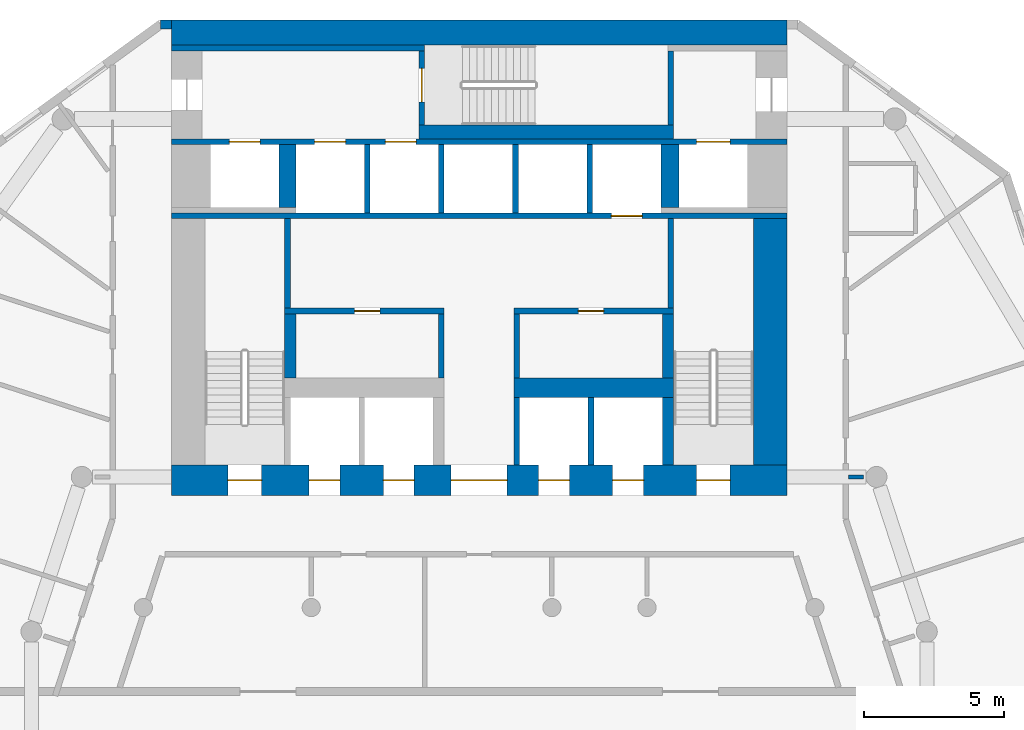
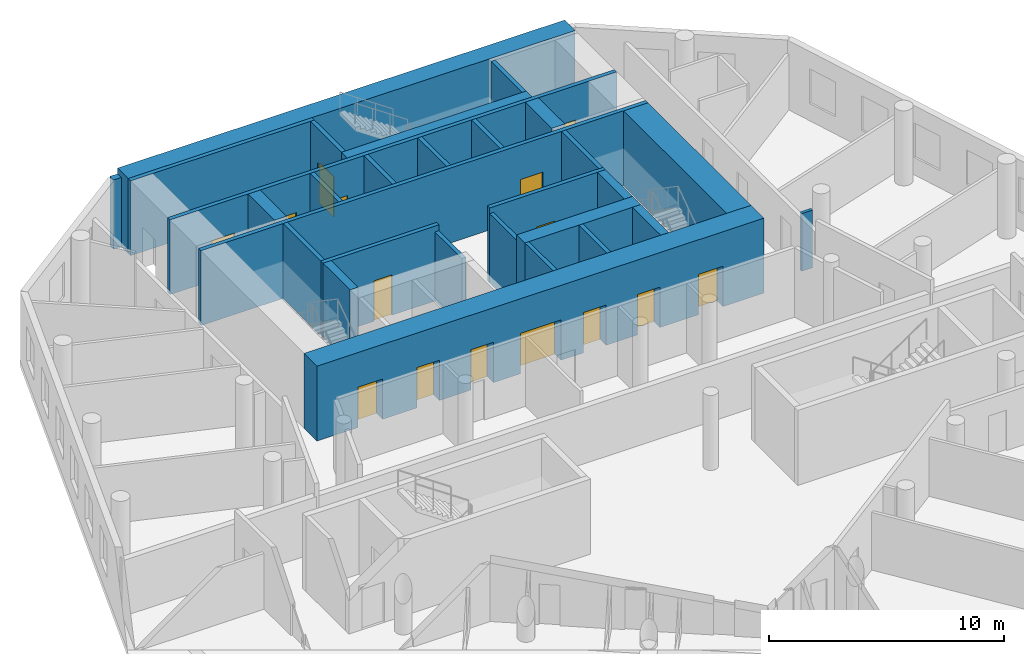
# One storey, part 5 of 9: 29 walls, 15 doors, 15 openings.
"""IFC4 building model written with IfcOpenShell, lengths in metres."""

from ifc_helpers import new_model, si_unit, direction, frame, frame_2d, origin, place, context, subcontext, project, spatial, rectangle, extrude, material, layer, layer_set, type_object, element, fill, save


model = new_model("IFC4")

# Units and contexts
model_context = context("Model", 3, precision=1e-05, world=origin(), true_north=direction((0.0, 1.0)))
body_context = subcontext(model_context, "Body", "Model", "MODEL_VIEW")
ifc_project = project(units=[si_unit("LENGTHUNIT", "METRE"), si_unit("AREAUNIT", "SQUARE_METRE"), si_unit("VOLUMEUNIT", "CUBIC_METRE"), si_unit("PLANEANGLEUNIT", "RADIAN"), si_unit("MASSUNIT", "GRAM", prefix="KILO")], contexts=[model_context])

# Site, building, storey
site_placement = place(None, origin())
site = spatial("IfcSite", under=ifc_project, at=site_placement, CompositionType="ELEMENT")
building_placement = place(site_placement, origin())
building = spatial("IfcBuilding", under=site, at=building_placement, Name="White Candle Pilgrim Tower", CompositionType="ELEMENT")
storey_placement = place(building_placement, frame((0.0, 0.0, 110.300048828125)))
storey = spatial("IfcBuildingStorey", under=building, at=storey_placement, Name="L24", CompositionType="ELEMENT", Elevation=110.300048828125)

# Wall, openings, doors
ifc_material_1 = material(Name="Concrete C60/75", Category="concrete")
ifc_layer_1 = layer(ifc_material_1, 0.199951171875)
ifc_layer_set_1 = layer_set([ifc_layer_1], Name="Core wall 200 mm Concrete C60/75")
wall_type_1 = type_object("IfcWallType", Name="Core wall 200 mm Concrete C60/75", PredefinedType="SHEAR", material=ifc_layer_set_1)
wall_1_placement = place(storey_placement, frame((59.0, 83.64990234375, 0.0), z_axis=(0.0, 0.0, 1.0), x_axis=(1.0, 0.0, 0.0)))
wall_1 = element("IfcWall", 1, at=wall_1_placement, inside=storey, type_object=wall_type_1, Name="WL-L24-C41", PredefinedType="SHEAR", context=body_context, shape_type="SweptSolid", body=[
    extrude(rectangle(XDim=22.0, YDim=0.199951171875, at=frame_2d((11.0, 0.0))), origin(), (0.0, 0.0, 1.0), 3.89990234375),
])
opening_1_placement = place(wall_1_placement, frame((5.125, 0.0, 0.0)))
opening_1 = element("IfcOpeningElement", 2, at=opening_1_placement, cuts=wall_1, Name="Opening T07-011", PredefinedType="OPENING", context=body_context, shape_type="SweptSolid", body=[
    extrude(rectangle(XDim=1.10009765625, YDim=2.10009765625, at=frame_2d((0.550048828125, 1.050048828125))), frame((0.0, 0.10986328125, 0.0), z_axis=(0.0, -1.0, 0.0), x_axis=(1.0, 0.0, 0.0)), (0.0, 0.0, 1.0), 0.219970703125),
])
opening_2_placement = place(wall_1_placement, frame((7.64990234375, 0.0, 0.0)))
opening_2 = element("IfcOpeningElement", 3, at=opening_2_placement, cuts=wall_1, Name="Opening T07-012", PredefinedType="OPENING", context=body_context, shape_type="SweptSolid", body=[
    extrude(rectangle(XDim=1.10009765625, YDim=2.10009765625, at=frame_2d((0.550048828125, 1.050048828125))), frame((0.0, 0.10986328125, 0.0), z_axis=(0.0, -1.0, 0.0), x_axis=(1.0, 0.0, 0.0)), (0.0, 0.0, 1.0), 0.219970703125),
])
opening_3_placement = place(wall_1_placement, frame((18.77490234375, 0.0, 0.0)))
opening_3 = element("IfcOpeningElement", 4, at=opening_3_placement, cuts=wall_1, Name="Opening T07-018", PredefinedType="OPENING", context=body_context, shape_type="SweptSolid", body=[
    extrude(rectangle(XDim=1.199951171875, YDim=2.10009765625, at=frame_2d((0.60009765625, 1.050048828125))), frame((0.0, 0.10986328125, 0.0), z_axis=(0.0, -1.0, 0.0), x_axis=(1.0, 0.0, 0.0)), (0.0, 0.0, 1.0), 0.219970703125),
])
opening_4_placement = place(wall_1_placement, frame((2.074951171875, 0.0, 0.0)))
opening_4 = element("IfcOpeningElement", 5, at=opening_4_placement, cuts=wall_1, Name="Opening T07-019", PredefinedType="OPENING", context=body_context, shape_type="SweptSolid", body=[
    extrude(rectangle(XDim=1.10009765625, YDim=2.10009765625, at=frame_2d((0.550048828125, 1.050048828125))), frame((0.0, 0.10986328125, 0.0), z_axis=(0.0, -1.0, 0.0), x_axis=(1.0, 0.0, 0.0)), (0.0, 0.0, 1.0), 0.219970703125),
])
ifc_material_2 = material(Name="Stainless steel", Category="steel")
door_type_1 = type_object("IfcDoorType", Name="Lift landing door 1100 x 2100 EI 60", OperationType="DOUBLE_DOOR_SLIDING", PredefinedType="DOOR", material=ifc_material_2)
door_1_placement = place(opening_1_placement, origin())
door_1 = element("IfcDoor", 6, at=door_1_placement, inside=storey, type_object=door_type_1, Name="Door T07-011", OperationType="DOUBLE_DOOR_SLIDING", OverallHeight=2.10009765625, OverallWidth=1.10009765625, PredefinedType="DOOR", context=body_context, shape_type="SweptSolid", body=[
    extrude(rectangle(XDim=1.10009765625, YDim=2.10009765625, at=frame_2d((0.550048828125, 1.050048828125))), frame((0.0, 0.02490234375, 0.0), z_axis=(0.0, -1.0, 0.0), x_axis=(1.0, 0.0, 0.0)), (0.0, 0.0, 1.0), 0.050048828125),
])
fill(opening_1, door_1)
door_2_placement = place(opening_2_placement, origin())
door_2 = element("IfcDoor", 7, at=door_2_placement, inside=storey, type_object=door_type_1, Name="Door T07-012", OperationType="DOUBLE_DOOR_SLIDING", OverallHeight=2.10009765625, OverallWidth=1.10009765625, PredefinedType="DOOR", context=body_context, shape_type="SweptSolid", body=[
    extrude(rectangle(XDim=1.10009765625, YDim=2.10009765625, at=frame_2d((0.550048828125, 1.050048828125))), frame((0.0, 0.02490234375, 0.0), z_axis=(0.0, -1.0, 0.0), x_axis=(1.0, 0.0, 0.0)), (0.0, 0.0, 1.0), 0.050048828125),
])
fill(opening_2, door_2)
door_3_placement = place(opening_4_placement, origin())
door_3 = element("IfcDoor", 8, at=door_3_placement, inside=storey, type_object=door_type_1, Name="Door T07-019", OperationType="DOUBLE_DOOR_SLIDING", OverallHeight=2.10009765625, OverallWidth=1.10009765625, PredefinedType="DOOR", context=body_context, shape_type="SweptSolid", body=[
    extrude(rectangle(XDim=1.10009765625, YDim=2.10009765625, at=frame_2d((0.550048828125, 1.050048828125))), frame((0.0, 0.02490234375, 0.0), z_axis=(0.0, -1.0, 0.0), x_axis=(1.0, 0.0, 0.0)), (0.0, 0.0, 1.0), 0.050048828125),
])
fill(opening_4, door_3)
door_type_2 = type_object("IfcDoorType", Name="Lift landing door 1200 x 2100 E 60", OperationType="DOUBLE_DOOR_SLIDING", PredefinedType="DOOR", material=ifc_material_2)
door_4_placement = place(opening_3_placement, origin())
door_4 = element("IfcDoor", 9, at=door_4_placement, inside=storey, type_object=door_type_2, Name="Door T07-018", OperationType="DOUBLE_DOOR_SLIDING", OverallHeight=2.10009765625, OverallWidth=1.199951171875, PredefinedType="DOOR", context=body_context, shape_type="SweptSolid", body=[
    extrude(rectangle(XDim=1.199951171875, YDim=2.10009765625, at=frame_2d((0.60009765625, 1.050048828125))), frame((0.0, 0.02490234375, 0.0), z_axis=(0.0, -1.0, 0.0), x_axis=(1.0, 0.0, 0.0)), (0.0, 0.0, 1.0), 0.050048828125),
])
fill(opening_3, door_4)

# Walls
ifc_material_3 = material(Name="Precast concrete C40/50", Category="concrete")
ifc_layer_2 = layer(ifc_material_3, 0.320068359375)
ifc_layer_set_2 = layer_set([ifc_layer_2], Name="Facade wall EW1 precast concrete C40/50 pier wall with timber-lined reveals")
wall_type_2 = type_object("IfcWallType", Name="Facade wall EW1 precast concrete C40/50 pier wall with timber-lined reveals", PredefinedType="SOLIDWALL", material=ifc_layer_set_2)
wall_2_placement = place(storey_placement, frame((59.0, 87.840087890625, 0.0), z_axis=(0.0, 0.0, 1.0), x_axis=(-1.0, 0.0, 0.0)))
element("IfcWall", 10, at=wall_2_placement, inside=storey, type_object=wall_type_2, Name="Facade wall L24 N", PredefinedType="SOLIDWALL", context=body_context, shape_type="SweptSolid", body=[
    extrude(rectangle(XDim=0.385009765625, YDim=0.320068359375, at=frame_2d((0.1923828125, 0.0))), origin(), (0.0, 0.0, 1.0), 3.599853515625),
])
ifc_material_4 = material(Name="Gypsum board on steel studs", Category="steel")
ifc_layer_3 = layer(ifc_material_4, 0.199951171875)
ifc_layer_set_3 = layer_set([ifc_layer_3], Name="Lobby wall 200 mm EI 60")
wall_type_3 = type_object("IfcWallType", Name="Lobby wall 200 mm EI 60", PredefinedType="PARTITIONING", material=ifc_layer_set_3)
for number, where, z_axis, x_axis, name in (
    (11, (68.64990234375, 75.199951171875, 0.0), (0.0, 0.0, 1.0), (0.0, 1.0, 0.0), "WL-L24-C23"),
    (12, (71.35009765625, 75.199951171875, 0.0), (0.0, 0.0, 1.0), (0.0, 1.0, 0.0), "WL-L24-C24"),
):
    element("IfcWall", number, at=place(storey_placement, frame(where, z_axis=z_axis, x_axis=x_axis)), inside=storey, type_object=wall_type_3, Name=name, PredefinedType="PARTITIONING", context=body_context, shape_type="SweptSolid", body=[
        extrude(rectangle(XDim=2.300048828125, YDim=0.199951171875, at=frame_2d((1.14990234375, 0.0))), origin(), (0.0, 0.0, 1.0), 3.599853515625),
    ])
ifc_layer_4 = layer(ifc_material_4, 0.14990234375)
ifc_layer_set_4 = layer_set([ifc_layer_4], Name="Partition 150 mm EI 60")
wall_type_4 = type_object("IfcWallType", Name="Partition 150 mm EI 60", PredefinedType="PARTITIONING", material=ifc_layer_set_4)
wall_3_placement = place(storey_placement, frame((83.735107421875, 71.667724609375, 0.0), z_axis=(0.0, 0.0, 1.0), x_axis=(-1.0, 0.0, 0.0)))
element("IfcWall", 13, at=wall_3_placement, inside=storey, type_object=wall_type_4, Name="WL-L24-P050", PredefinedType="PARTITIONING", context=body_context, shape_type="SweptSolid", body=[
    extrude(rectangle(XDim=0.53515625, YDim=0.14990234375, at=frame_2d((0.267578125, 0.0))), origin(), (0.0, 0.0, 1.0), 3.0),
])
ifc_layer_5 = layer(ifc_material_1, 0.199951171875)
ifc_layer_set_5 = layer_set([ifc_layer_5], Name="Shaft wall 200 mm Concrete C60/75")
wall_type_5 = type_object("IfcWallType", Name="Shaft wall 200 mm Concrete C60/75", PredefinedType="SHEAR", material=ifc_layer_set_5)
for number, where, z_axis, x_axis, name in (
    (14, (71.35009765625, 72.10009765625, 0.0), (0.0, 0.0, 1.0), (0.0, 1.0, 0.0), "WL-L24-C16"),
    (15, (74.0, 72.10009765625, 0.0), (0.0, 0.0, 1.0), (0.0, 1.0, 0.0), "WL-L24-C17"),
):
    element("IfcWall", number, at=place(storey_placement, frame(where, z_axis=z_axis, x_axis=x_axis)), inside=storey, type_object=wall_type_5, Name=name, PredefinedType="SHEAR", context=body_context, shape_type="SweptSolid", body=[
        extrude(rectangle(XDim=2.39990234375, YDim=0.199951171875, at=frame_2d((1.199951171875, 0.0))), origin(), (0.0, 0.0, 1.0), 3.89990234375),
    ])
for number, where, z_axis, x_axis, name in (
    (16, (66.0, 81.10009765625, 0.0), (0.0, 0.0, 1.0), (0.0, 1.0, 0.0), "WL-L24-C32"),
    (17, (68.64990234375, 81.10009765625, 0.0), (0.0, 0.0, 1.0), (0.0, 1.0, 0.0), "WL-L24-C33"),
    (18, (71.300048828125, 81.10009765625, 0.0), (0.0, 0.0, 1.0), (0.0, 1.0, 0.0), "WL-L24-C34"),
    (19, (73.949951171875, 81.10009765625, 0.0), (0.0, 0.0, 1.0), (0.0, 1.0, 0.0), "WL-L24-C35"),
):
    element("IfcWall", number, at=place(storey_placement, frame(where, z_axis=z_axis, x_axis=x_axis)), inside=storey, type_object=wall_type_5, Name=name, PredefinedType="SHEAR", context=body_context, shape_type="SweptSolid", body=[
        extrude(rectangle(XDim=2.449951171875, YDim=0.199951171875, at=frame_2d((1.22509765625, 0.0))), origin(), (0.0, 0.0, 1.0), 3.89990234375),
    ])
ifc_layer_6 = layer(ifc_material_1, 0.60009765625)
ifc_layer_set_6 = layer_set([ifc_layer_6], Name="Shaft wall 600 mm Concrete C60/75")
wall_type_6 = type_object("IfcWallType", Name="Shaft wall 600 mm Concrete C60/75", PredefinedType="SHEAR", material=ifc_layer_set_6)
wall_4_placement = place(storey_placement, frame((63.14990234375, 81.300048828125, 0.0), z_axis=(0.0, 0.0, 1.0), x_axis=(0.0, 1.0, 0.0)))
element("IfcWall", 20, at=wall_4_placement, inside=storey, type_object=wall_type_6, Name="WL-L24-C38", PredefinedType="SHEAR", context=body_context, shape_type="SweptSolid", body=[
    extrude(rectangle(XDim=2.25, YDim=0.60009765625, at=frame_2d((1.125, 0.0))), origin(), (0.0, 0.0, 1.0), 3.89990234375),
])
ifc_layer_7 = layer(ifc_material_1, 0.64990234375)
ifc_layer_set_7 = layer_set([ifc_layer_7], Name="Shaft wall 650 mm Concrete C60/75")
wall_type_7 = type_object("IfcWallType", Name="Shaft wall 650 mm Concrete C60/75", PredefinedType="SHEAR", material=ifc_layer_set_7)
wall_5_placement = place(storey_placement, frame((76.824951171875, 81.300048828125, 0.0), z_axis=(0.0, 0.0, 1.0), x_axis=(0.0, 1.0, 0.0)))
element("IfcWall", 21, at=wall_5_placement, inside=storey, type_object=wall_type_7, Name="WL-L24-C39", PredefinedType="SHEAR", context=body_context, shape_type="SweptSolid", body=[
    extrude(rectangle(XDim=2.25, YDim=0.64990234375, at=frame_2d((1.125, 0.0))), origin(), (0.0, 0.0, 1.0), 3.89990234375),
])

# Wall, openings, doors
ifc_layer_8 = layer(ifc_material_1, 1.10009765625)
ifc_layer_set_8 = layer_set([ifc_layer_8], Name="Stair shaft wall 1100 mm Concrete C60/75")
wall_type_8 = type_object("IfcWallType", Name="Stair shaft wall 1100 mm Concrete C60/75", PredefinedType="SHEAR", material=ifc_layer_set_8)
wall_6_placement = place(storey_placement, frame((59.0, 71.550048828125, 0.0), z_axis=(0.0, 0.0, 1.0), x_axis=(1.0, 0.0, 0.0)))
wall_6 = element("IfcWall", 22, at=wall_6_placement, inside=storey, type_object=wall_type_8, Name="WL-L24-C11", PredefinedType="SHEAR", context=body_context, shape_type="SweptSolid", body=[
    extrude(rectangle(XDim=22.0, YDim=1.10009765625, at=frame_2d((11.0, 0.0))), origin(), (0.0, 0.0, 1.0), 3.89990234375),
])
opening_5_placement = place(wall_6_placement, frame((2.02490234375, 0.0, 0.0)))
opening_5 = element("IfcOpeningElement", 23, at=opening_5_placement, cuts=wall_6, Name="Opening T07-001", PredefinedType="OPENING", context=body_context, shape_type="SweptSolid", body=[
    extrude(rectangle(XDim=1.199951171875, YDim=2.10009765625, at=frame_2d((0.60009765625, 1.050048828125))), frame((0.0, 0.56005859375, 0.0), z_axis=(0.0, -1.0, 0.0), x_axis=(1.0, 0.0, 0.0)), (0.0, 0.0, 1.0), 1.1201171875),
])
opening_6_placement = place(wall_6_placement, frame((18.77490234375, 0.0, 0.0)))
opening_6 = element("IfcOpeningElement", 24, at=opening_6_placement, cuts=wall_6, Name="Opening T07-002", PredefinedType="OPENING", context=body_context, shape_type="SweptSolid", body=[
    extrude(rectangle(XDim=1.199951171875, YDim=2.10009765625, at=frame_2d((0.60009765625, 1.050048828125))), frame((0.0, 0.56005859375, 0.0), z_axis=(0.0, -1.0, 0.0), x_axis=(1.0, 0.0, 0.0)), (0.0, 0.0, 1.0), 1.1201171875),
])
opening_7_placement = place(wall_6_placement, frame((10.0, 0.0, 0.0)))
opening_7 = element("IfcOpeningElement", 25, at=opening_7_placement, cuts=wall_6, Name="Opening T07-004", PredefinedType="OPENING", context=body_context, shape_type="SweptSolid", body=[
    extrude(rectangle(XDim=2.0, YDim=2.10009765625, at=frame_2d((1.0, 1.050048828125))), frame((0.0, 0.56005859375, 0.0), z_axis=(0.0, -1.0, 0.0), x_axis=(1.0, 0.0, 0.0)), (0.0, 0.0, 1.0), 1.1201171875),
])
opening_8_placement = place(wall_6_placement, frame((4.925048828125, 0.0, 0.0)))
opening_8 = element("IfcOpeningElement", 26, at=opening_8_placement, cuts=wall_6, Name="Opening T07-014", PredefinedType="OPENING", context=body_context, shape_type="SweptSolid", body=[
    extrude(rectangle(XDim=1.10009765625, YDim=2.10009765625, at=frame_2d((0.550048828125, 1.050048828125))), frame((0.0, 0.56005859375, 0.0), z_axis=(0.0, -1.0, 0.0), x_axis=(1.0, 0.0, 0.0)), (0.0, 0.0, 1.0), 1.1201171875),
])
opening_9_placement = place(wall_6_placement, frame((7.574951171875, 0.0, 0.0)))
opening_9 = element("IfcOpeningElement", 27, at=opening_9_placement, cuts=wall_6, Name="Opening T07-015", PredefinedType="OPENING", context=body_context, shape_type="SweptSolid", body=[
    extrude(rectangle(XDim=1.10009765625, YDim=2.10009765625, at=frame_2d((0.550048828125, 1.050048828125))), frame((0.0, 0.56005859375, 0.0), z_axis=(0.0, -1.0, 0.0), x_axis=(1.0, 0.0, 0.0)), (0.0, 0.0, 1.0), 1.1201171875),
])
opening_10_placement = place(wall_6_placement, frame((13.125, 0.0, 0.0)))
opening_10 = element("IfcOpeningElement", 28, at=opening_10_placement, cuts=wall_6, Name="Opening T07-016", PredefinedType="OPENING", context=body_context, shape_type="SweptSolid", body=[
    extrude(rectangle(XDim=1.10009765625, YDim=2.10009765625, at=frame_2d((0.550048828125, 1.050048828125))), frame((0.0, 0.56005859375, 0.0), z_axis=(0.0, -1.0, 0.0), x_axis=(1.0, 0.0, 0.0)), (0.0, 0.0, 1.0), 1.1201171875),
])
opening_11_placement = place(wall_6_placement, frame((15.77490234375, 0.0, 0.0)))
opening_11 = element("IfcOpeningElement", 29, at=opening_11_placement, cuts=wall_6, Name="Opening T07-017", PredefinedType="OPENING", context=body_context, shape_type="SweptSolid", body=[
    extrude(rectangle(XDim=1.10009765625, YDim=2.10009765625, at=frame_2d((0.550048828125, 1.050048828125))), frame((0.0, 0.56005859375, 0.0), z_axis=(0.0, -1.0, 0.0), x_axis=(1.0, 0.0, 0.0)), (0.0, 0.0, 1.0), 1.1201171875),
])
ifc_material_5 = material(Name="Steel door leaf", Category="steel")
door_type_3 = type_object("IfcDoorType", Name="Fire door 1200 x 2100 EI 60", OperationType="NOTDEFINED", PredefinedType="DOOR", material=ifc_material_5)
door_5_placement = place(opening_5_placement, frame((1.199951171875, 0.0, 0.0), z_axis=(0.0, 0.0, 1.0), x_axis=(-1.0, 0.0, 0.0)))
door_5 = element("IfcDoor", 30, at=door_5_placement, inside=storey, type_object=door_type_3, Name="Door T07-001", OperationType="SINGLE_SWING_RIGHT", OverallHeight=2.10009765625, OverallWidth=1.199951171875, PredefinedType="DOOR", context=body_context, shape_type="SweptSolid", body=[
    extrude(rectangle(XDim=1.199951171875, YDim=2.10009765625, at=frame_2d((0.60009765625, 1.050048828125))), frame((0.0, 0.02490234375, 0.0), z_axis=(0.0, -1.0, 0.0), x_axis=(1.0, 0.0, 0.0)), (0.0, 0.0, 1.0), 0.050048828125),
])
fill(opening_5, door_5)
door_6_placement = place(opening_6_placement, frame((1.199951171875, 0.0, 0.0), z_axis=(0.0, 0.0, 1.0), x_axis=(-1.0, 0.0, 0.0)))
door_6 = element("IfcDoor", 31, at=door_6_placement, inside=storey, type_object=door_type_3, Name="Door T07-002", OperationType="SINGLE_SWING_LEFT", OverallHeight=2.10009765625, OverallWidth=1.199951171875, PredefinedType="DOOR", context=body_context, shape_type="SweptSolid", body=[
    extrude(rectangle(XDim=1.199951171875, YDim=2.10009765625, at=frame_2d((0.60009765625, 1.050048828125))), frame((0.0, 0.02490234375, 0.0), z_axis=(0.0, -1.0, 0.0), x_axis=(1.0, 0.0, 0.0)), (0.0, 0.0, 1.0), 0.050048828125),
])
fill(opening_6, door_6)
door_type_4 = type_object("IfcDoorType", Name="Fire door 2000 x 2100 EI 60", OperationType="NOTDEFINED", PredefinedType="DOOR", material=ifc_material_5)
door_7_placement = place(opening_7_placement, frame((2.0, 0.0, 0.0), z_axis=(0.0, 0.0, 1.0), x_axis=(-1.0, 0.0, 0.0)))
door_7 = element("IfcDoor", 32, at=door_7_placement, inside=storey, type_object=door_type_4, Name="Door T07-004", OperationType="DOUBLE_DOOR_SINGLE_SWING", OverallHeight=2.10009765625, OverallWidth=2.0, PredefinedType="DOOR", context=body_context, shape_type="SweptSolid", body=[
    extrude(rectangle(XDim=2.0, YDim=2.10009765625, at=frame_2d((1.0, 1.050048828125))), frame((0.0, 0.02490234375, 0.0), z_axis=(0.0, -1.0, 0.0), x_axis=(1.0, 0.0, 0.0)), (0.0, 0.0, 1.0), 0.050048828125),
])
fill(opening_7, door_7)
door_type_5 = type_object("IfcDoorType", Name="Lift landing door 1100 x 2100 E 60", OperationType="DOUBLE_DOOR_SLIDING", PredefinedType="DOOR", material=ifc_material_2)
door_8_placement = place(opening_8_placement, origin())
door_8 = element("IfcDoor", 33, at=door_8_placement, inside=storey, type_object=door_type_5, Name="Door T07-014", OperationType="DOUBLE_DOOR_SLIDING", OverallHeight=2.10009765625, OverallWidth=1.10009765625, PredefinedType="DOOR", context=body_context, shape_type="SweptSolid", body=[
    extrude(rectangle(XDim=1.10009765625, YDim=2.10009765625, at=frame_2d((0.550048828125, 1.050048828125))), frame((0.0, 0.02490234375, 0.0), z_axis=(0.0, -1.0, 0.0), x_axis=(1.0, 0.0, 0.0)), (0.0, 0.0, 1.0), 0.050048828125),
])
fill(opening_8, door_8)
door_9_placement = place(opening_9_placement, origin())
door_9 = element("IfcDoor", 34, at=door_9_placement, inside=storey, type_object=door_type_5, Name="Door T07-015", OperationType="DOUBLE_DOOR_SLIDING", OverallHeight=2.10009765625, OverallWidth=1.10009765625, PredefinedType="DOOR", context=body_context, shape_type="SweptSolid", body=[
    extrude(rectangle(XDim=1.10009765625, YDim=2.10009765625, at=frame_2d((0.550048828125, 1.050048828125))), frame((0.0, 0.02490234375, 0.0), z_axis=(0.0, -1.0, 0.0), x_axis=(1.0, 0.0, 0.0)), (0.0, 0.0, 1.0), 0.050048828125),
])
fill(opening_9, door_9)
door_10_placement = place(opening_10_placement, origin())
door_10 = element("IfcDoor", 35, at=door_10_placement, inside=storey, type_object=door_type_5, Name="Door T07-016", OperationType="DOUBLE_DOOR_SLIDING", OverallHeight=2.10009765625, OverallWidth=1.10009765625, PredefinedType="DOOR", context=body_context, shape_type="SweptSolid", body=[
    extrude(rectangle(XDim=1.10009765625, YDim=2.10009765625, at=frame_2d((0.550048828125, 1.050048828125))), frame((0.0, 0.02490234375, 0.0), z_axis=(0.0, -1.0, 0.0), x_axis=(1.0, 0.0, 0.0)), (0.0, 0.0, 1.0), 0.050048828125),
])
fill(opening_10, door_10)
door_11_placement = place(opening_11_placement, origin())
door_11 = element("IfcDoor", 36, at=door_11_placement, inside=storey, type_object=door_type_5, Name="Door T07-017", OperationType="DOUBLE_DOOR_SLIDING", OverallHeight=2.10009765625, OverallWidth=1.10009765625, PredefinedType="DOOR", context=body_context, shape_type="SweptSolid", body=[
    extrude(rectangle(XDim=1.10009765625, YDim=2.10009765625, at=frame_2d((0.550048828125, 1.050048828125))), frame((0.0, 0.02490234375, 0.0), z_axis=(0.0, -1.0, 0.0), x_axis=(1.0, 0.0, 0.0)), (0.0, 0.0, 1.0), 0.050048828125),
])
fill(opening_11, door_11)

# Wall
ifc_layer_9 = layer(ifc_material_1, 1.199951171875)
ifc_layer_set_9 = layer_set([ifc_layer_9], Name="Stair shaft wall 1200 mm Concrete C60/75")
wall_type_9 = type_object("IfcWallType", Name="Stair shaft wall 1200 mm Concrete C60/75", PredefinedType="SHEAR", material=ifc_layer_set_9)
wall_7_placement = place(storey_placement, frame((80.39990234375, 72.10009765625, 0.0), z_axis=(0.0, 0.0, 1.0), x_axis=(0.0, 1.0, 0.0)))
element("IfcWall", 37, at=wall_7_placement, inside=storey, type_object=wall_type_9, Name="WL-L24-C19", PredefinedType="SHEAR", context=body_context, shape_type="SweptSolid", body=[
    extrude(rectangle(XDim=8.7998046875, YDim=1.199951171875, at=frame_2d((4.39990234375, 0.0))), origin(), (0.0, 0.0, 1.0), 3.89990234375),
])

# Wall, opening, door
ifc_layer_10 = layer(ifc_material_1, 0.199951171875)
ifc_layer_set_10 = layer_set([ifc_layer_10], Name="Stair shaft wall 200 mm Concrete C60/75")
wall_type_10 = type_object("IfcWallType", Name="Stair shaft wall 200 mm Concrete C60/75", PredefinedType="SHEAR", material=ifc_layer_set_10)
wall_8_placement = place(storey_placement, frame((63.050048828125, 77.60009765625, 0.0), z_axis=(0.0, 0.0, 1.0), x_axis=(1.0, 0.0, 0.0)))
wall_8 = element("IfcWall", 38, at=wall_8_placement, inside=storey, type_object=wall_type_10, Name="WL-L24-C26", PredefinedType="SHEAR", context=body_context, shape_type="SweptSolid", body=[
    extrude(rectangle(XDim=5.699951171875, YDim=0.199951171875, at=frame_2d((2.85009765625, 0.0))), origin(), (0.0, 0.0, 1.0), 3.89990234375),
])
opening_12_placement = place(wall_8_placement, frame((2.5, 0.0, 0.0)))
opening_12 = element("IfcOpeningElement", 39, at=opening_12_placement, cuts=wall_8, Name="Opening T07-020", PredefinedType="OPENING", context=body_context, shape_type="SweptSolid", body=[
    extrude(rectangle(XDim=0.89990234375, YDim=2.10009765625, at=frame_2d((0.449951171875, 1.050048828125))), frame((0.0, 0.10986328125, 0.0), z_axis=(0.0, -1.0, 0.0), x_axis=(1.0, 0.0, 0.0)), (0.0, 0.0, 1.0), 0.219970703125),
])
door_type_6 = type_object("IfcDoorType", Name="Fire door 900 x 2100 EI 30", OperationType="NOTDEFINED", PredefinedType="DOOR", material=ifc_material_5)
door_12_placement = place(opening_12_placement, origin())
door_12 = element("IfcDoor", 40, at=door_12_placement, inside=storey, type_object=door_type_6, Name="Door T07-020", OperationType="SINGLE_SWING_RIGHT", OverallHeight=2.10009765625, OverallWidth=0.89990234375, PredefinedType="DOOR", context=body_context, shape_type="SweptSolid", body=[
    extrude(rectangle(XDim=0.89990234375, YDim=2.10009765625, at=frame_2d((0.449951171875, 1.050048828125))), frame((0.0, 0.02490234375, 0.0), z_axis=(0.0, -1.0, 0.0), x_axis=(1.0, 0.0, 0.0)), (0.0, 0.0, 1.0), 0.050048828125),
])
fill(opening_12, door_12)

wall_9_placement = place(storey_placement, frame((71.25, 77.60009765625, 0.0), z_axis=(0.0, 0.0, 1.0), x_axis=(1.0, 0.0, 0.0)))
wall_9 = element("IfcWall", 41, at=wall_9_placement, inside=storey, type_object=wall_type_10, Name="WL-L24-C27", PredefinedType="SHEAR", context=body_context, shape_type="SweptSolid", body=[
    extrude(rectangle(XDim=5.699951171875, YDim=0.199951171875, at=frame_2d((2.85009765625, 0.0))), origin(), (0.0, 0.0, 1.0), 3.89990234375),
])
opening_13_placement = place(wall_9_placement, frame((2.300048828125, 0.0, 0.0)))
opening_13 = element("IfcOpeningElement", 42, at=opening_13_placement, cuts=wall_9, Name="Opening T07-021", PredefinedType="OPENING", context=body_context, shape_type="SweptSolid", body=[
    extrude(rectangle(XDim=0.89990234375, YDim=2.10009765625, at=frame_2d((0.449951171875, 1.050048828125))), frame((0.0, 0.10986328125, 0.0), z_axis=(0.0, -1.0, 0.0), x_axis=(1.0, 0.0, 0.0)), (0.0, 0.0, 1.0), 0.219970703125),
])
door_13_placement = place(opening_13_placement, origin())
door_13 = element("IfcDoor", 43, at=door_13_placement, inside=storey, type_object=door_type_6, Name="Door T07-021", OperationType="SINGLE_SWING_LEFT", OverallHeight=2.10009765625, OverallWidth=0.89990234375, PredefinedType="DOOR", context=body_context, shape_type="SweptSolid", body=[
    extrude(rectangle(XDim=0.89990234375, YDim=2.10009765625, at=frame_2d((0.449951171875, 1.050048828125))), frame((0.0, 0.02490234375, 0.0), z_axis=(0.0, -1.0, 0.0), x_axis=(1.0, 0.0, 0.0)), (0.0, 0.0, 1.0), 0.050048828125),
])
fill(opening_13, door_13)

# Walls
for number, where, z_axis, x_axis, name in (
    (44, (63.14990234375, 77.699951171875, 0.0), (0.0, 0.0, 1.0), (0.0, 1.0, 0.0), "WL-L24-C28"),
    (45, (76.85009765625, 77.699951171875, 0.0), (0.0, 0.0, 1.0), (0.0, 1.0, 0.0), "WL-L24-C29"),
):
    element("IfcWall", number, at=place(storey_placement, frame(where, z_axis=z_axis, x_axis=x_axis)), inside=storey, type_object=wall_type_10, Name=name, PredefinedType="SHEAR", context=body_context, shape_type="SweptSolid", body=[
        extrude(rectangle(XDim=3.199951171875, YDim=0.199951171875, at=frame_2d((1.60009765625, 0.0))), origin(), (0.0, 0.0, 1.0), 3.89990234375),
    ])

# Wall, opening, door
wall_10_placement = place(storey_placement, frame((59.0, 81.0, 0.0), z_axis=(0.0, 0.0, 1.0), x_axis=(1.0, 0.0, 0.0)))
wall_10 = element("IfcWall", 46, at=wall_10_placement, inside=storey, type_object=wall_type_10, Name="WL-L24-C30", PredefinedType="SHEAR", context=body_context, shape_type="SweptSolid", body=[
    extrude(rectangle(XDim=22.0, YDim=0.199951171875, at=frame_2d((11.0, 0.0))), origin(), (0.0, 0.0, 1.0), 3.89990234375),
])
opening_14_placement = place(wall_10_placement, frame((15.72509765625, 0.0, 0.0)))
opening_14 = element("IfcOpeningElement", 47, at=opening_14_placement, cuts=wall_10, Name="Opening T07-013", PredefinedType="OPENING", context=body_context, shape_type="SweptSolid", body=[
    extrude(rectangle(XDim=1.10009765625, YDim=2.10009765625, at=frame_2d((0.550048828125, 1.050048828125))), frame((0.0, 0.10986328125, 0.0), z_axis=(0.0, -1.0, 0.0), x_axis=(1.0, 0.0, 0.0)), (0.0, 0.0, 1.0), 0.219970703125),
])
door_14_placement = place(opening_14_placement, origin())
door_14 = element("IfcDoor", 48, at=door_14_placement, inside=storey, type_object=door_type_5, Name="Door T07-013", OperationType="DOUBLE_DOOR_SLIDING", OverallHeight=2.10009765625, OverallWidth=1.10009765625, PredefinedType="DOOR", context=body_context, shape_type="SweptSolid", body=[
    extrude(rectangle(XDim=1.10009765625, YDim=2.10009765625, at=frame_2d((0.550048828125, 1.050048828125))), frame((0.0, 0.02490234375, 0.0), z_axis=(0.0, -1.0, 0.0), x_axis=(1.0, 0.0, 0.0)), (0.0, 0.0, 1.0), 0.050048828125),
])
fill(opening_14, door_14)

wall_11_placement = place(storey_placement, frame((67.949951171875, 84.25, 0.0), z_axis=(0.0, 0.0, 1.0), x_axis=(0.0, 1.0, 0.0)))
wall_11 = element("IfcWall", 49, at=wall_11_placement, inside=storey, type_object=wall_type_10, Name="WL-L24-C45", PredefinedType="SHEAR", context=body_context, shape_type="SweptSolid", body=[
    extrude(rectangle(XDim=2.64990234375, YDim=0.199951171875, at=frame_2d((1.324951171875, 0.0))), origin(), (0.0, 0.0, 1.0), 3.89990234375),
])
opening_15_placement = place(wall_11_placement, frame((0.824951171875, 0.0, 0.0)))
opening_15 = element("IfcOpeningElement", 50, at=opening_15_placement, cuts=wall_11, Name="Opening T07-003", PredefinedType="OPENING", context=body_context, shape_type="SweptSolid", body=[
    extrude(rectangle(XDim=1.199951171875, YDim=2.10009765625, at=frame_2d((0.60009765625, 1.050048828125))), frame((0.0, 0.10986328125, 0.0), z_axis=(0.0, -1.0, 0.0), x_axis=(1.0, 0.0, 0.0)), (0.0, 0.0, 1.0), 0.219970703125),
])
door_15_placement = place(opening_15_placement, frame((1.199951171875, 0.0, 0.0), z_axis=(0.0, 0.0, 1.0), x_axis=(-1.0, 0.0, 0.0)))
door_15 = element("IfcDoor", 51, at=door_15_placement, inside=storey, type_object=door_type_3, Name="Door T07-003", OperationType="SINGLE_SWING_RIGHT", OverallHeight=2.10009765625, OverallWidth=1.199951171875, PredefinedType="DOOR", context=body_context, shape_type="SweptSolid", body=[
    extrude(rectangle(XDim=1.199951171875, YDim=2.10009765625, at=frame_2d((0.60009765625, 1.050048828125))), frame((0.0, 0.02490234375, 0.0), z_axis=(0.0, -1.0, 0.0), x_axis=(1.0, 0.0, 0.0)), (0.0, 0.0, 1.0), 0.050048828125),
])
fill(opening_15, door_15)

# Walls
wall_12_placement = place(storey_placement, frame((76.85009765625, 84.25, 0.0), z_axis=(0.0, 0.0, 1.0), x_axis=(0.0, 1.0, 0.0)))
element("IfcWall", 52, at=wall_12_placement, inside=storey, type_object=wall_type_10, Name="WL-L24-C46", PredefinedType="SHEAR", context=body_context, shape_type="SweptSolid", body=[
    extrude(rectangle(XDim=2.64990234375, YDim=0.199951171875, at=frame_2d((1.324951171875, 0.0))), origin(), (0.0, 0.0, 1.0), 3.89990234375),
])
wall_13_placement = place(storey_placement, frame((59.0, 87.0, 0.0), z_axis=(0.0, 0.0, 1.0), x_axis=(1.0, 0.0, 0.0)))
element("IfcWall", 53, at=wall_13_placement, inside=storey, type_object=wall_type_10, Name="WL-L24-C47", PredefinedType="SHEAR", context=body_context, shape_type="SweptSolid", body=[
    extrude(rectangle(XDim=9.050048828125, YDim=0.199951171875, at=frame_2d((4.52490234375, 0.0))), origin(), (0.0, 0.0, 1.0), 3.89990234375),
])
ifc_layer_11 = layer(ifc_material_1, 0.39990234375)
ifc_layer_set_11 = layer_set([ifc_layer_11], Name="Stair shaft wall 400 mm Concrete C60/75")
wall_type_11 = type_object("IfcWallType", Name="Stair shaft wall 400 mm Concrete C60/75", PredefinedType="SHEAR", material=ifc_layer_set_11)
wall_14_placement = place(storey_placement, frame((76.75, 72.10009765625, 0.0), z_axis=(0.0, 0.0, 1.0), x_axis=(0.0, 1.0, 0.0)))
element("IfcWall", 54, at=wall_14_placement, inside=storey, type_object=wall_type_11, Name="WL-L24-C18", PredefinedType="SHEAR", context=body_context, shape_type="SweptSolid", body=[
    extrude(rectangle(XDim=2.39990234375, YDim=0.39990234375, at=frame_2d((1.199951171875, 0.0))), origin(), (0.0, 0.0, 1.0), 3.89990234375),
])
for number, where, z_axis, x_axis, name in (
    (55, (63.25, 75.199951171875, 0.0), (0.0, 0.0, 1.0), (0.0, 1.0, 0.0), "WL-L24-C22"),
    (56, (76.75, 75.199951171875, 0.0), (0.0, 0.0, 1.0), (0.0, 1.0, 0.0), "WL-L24-C25"),
):
    element("IfcWall", number, at=place(storey_placement, frame(where, z_axis=z_axis, x_axis=x_axis)), inside=storey, type_object=wall_type_11, Name=name, PredefinedType="SHEAR", context=body_context, shape_type="SweptSolid", body=[
        extrude(rectangle(XDim=2.300048828125, YDim=0.39990234375, at=frame_2d((1.14990234375, 0.0))), origin(), (0.0, 0.0, 1.0), 3.89990234375),
    ])
ifc_layer_12 = layer(ifc_material_1, 0.5)
ifc_layer_set_12 = layer_set([ifc_layer_12], Name="Stair shaft wall 500 mm Concrete C60/75")
wall_type_12 = type_object("IfcWallType", Name="Stair shaft wall 500 mm Concrete C60/75", PredefinedType="SHEAR", material=ifc_layer_set_12)
wall_15_placement = place(storey_placement, frame((67.85009765625, 84.0, 0.0), z_axis=(0.0, 0.0, 1.0), x_axis=(1.0, 0.0, 0.0)))
element("IfcWall", 57, at=wall_15_placement, inside=storey, type_object=wall_type_12, Name="WL-L24-C43", PredefinedType="SHEAR", context=body_context, shape_type="SweptSolid", body=[
    extrude(rectangle(XDim=9.099853515625, YDim=0.5, at=frame_2d((4.5498046875, 0.0))), origin(), (0.0, 0.0, 1.0), 3.89990234375),
])
ifc_layer_13 = layer(ifc_material_1, 0.699951171875)
ifc_layer_set_13 = layer_set([ifc_layer_13], Name="Stair shaft wall 700 mm Concrete C60/75")
wall_type_13 = type_object("IfcWallType", Name="Stair shaft wall 700 mm Concrete C60/75", PredefinedType="SHEAR", material=ifc_layer_set_13)
wall_16_placement = place(storey_placement, frame((71.25, 74.85009765625, 0.0), z_axis=(0.0, 0.0, 1.0), x_axis=(1.0, 0.0, 0.0)))
element("IfcWall", 58, at=wall_16_placement, inside=storey, type_object=wall_type_13, Name="WL-L24-C21", PredefinedType="SHEAR", context=body_context, shape_type="SweptSolid", body=[
    extrude(rectangle(XDim=5.699951171875, YDim=0.699951171875, at=frame_2d((2.85009765625, 0.0))), origin(), (0.0, 0.0, 1.0), 3.89990234375),
])
ifc_layer_14 = layer(ifc_material_1, 0.89990234375)
ifc_layer_set_14 = layer_set([ifc_layer_14], Name="Stair shaft wall 900 mm Concrete C60/75")
wall_type_14 = type_object("IfcWallType", Name="Stair shaft wall 900 mm Concrete C60/75", PredefinedType="SHEAR", material=ifc_layer_set_14)
wall_17_placement = place(storey_placement, frame((59.0, 87.550048828125, 0.0), z_axis=(0.0, 0.0, 1.0), x_axis=(1.0, 0.0, 0.0)))
element("IfcWall", 59, at=wall_17_placement, inside=storey, type_object=wall_type_14, Name="WL-L24-C49", PredefinedType="SHEAR", context=body_context, shape_type="SweptSolid", body=[
    extrude(rectangle(XDim=22.0, YDim=0.89990234375, at=frame_2d((11.0, 0.0))), origin(), (0.0, 0.0, 1.0), 3.89990234375),
])

save(model, "model.ifc")
